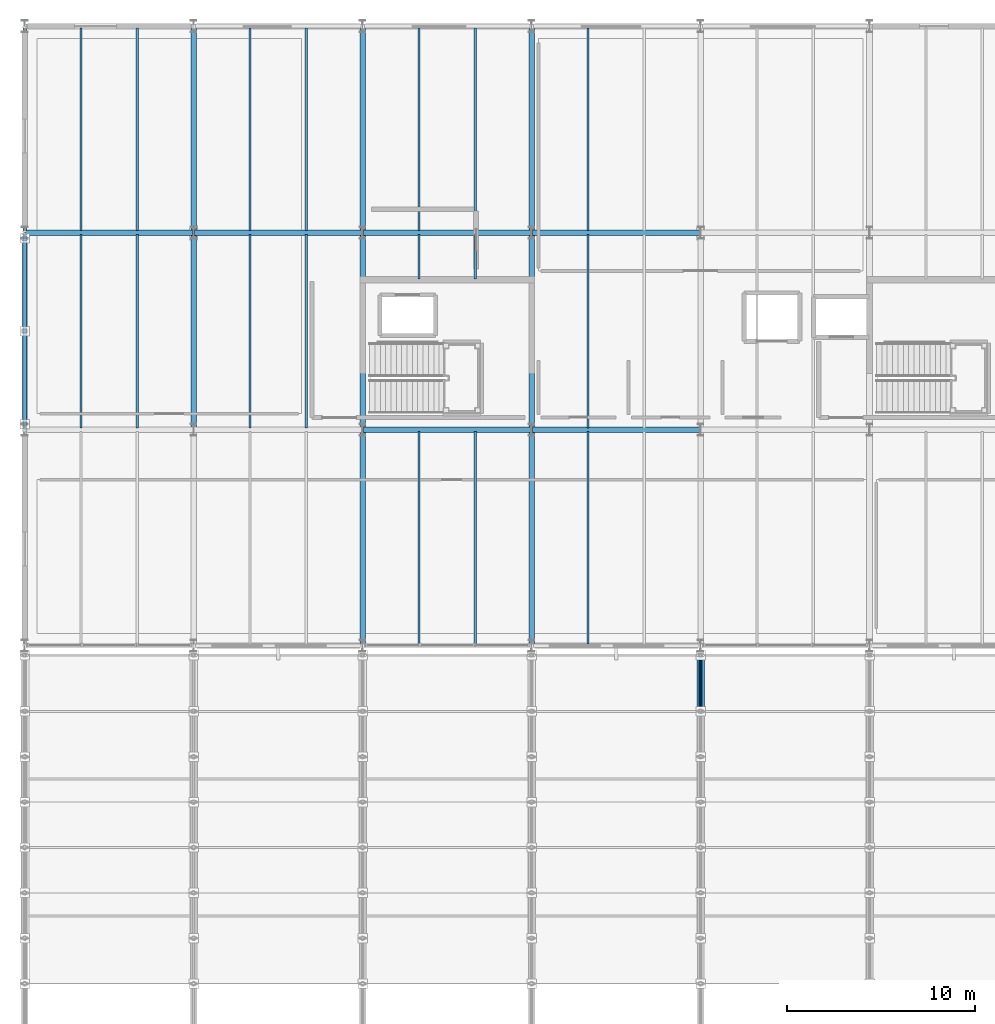
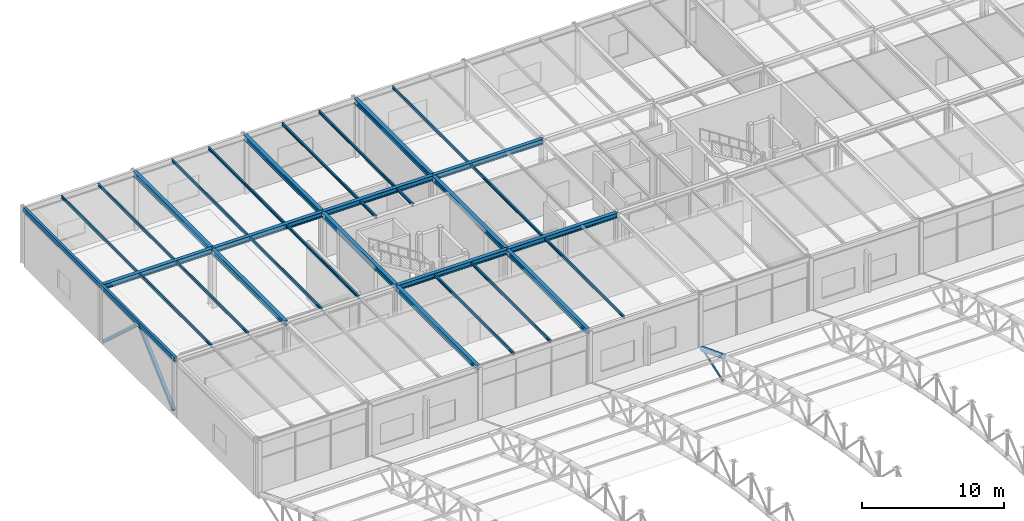
# One storey, part 42 of 195: 33 beams, 4 members.
"""IFC4 building model written with IfcOpenShell, lengths in metres."""

from ifc_helpers import new_model, si_unit, direction, frame, origin, origin_2d, place, context, subcontext, project, spatial, hollow_rectangle, hollow_circle, i_section, extrude, material, material_profile, profile_set, type_object, element, save


model = new_model("IFC4")

# Units and contexts
model_context = context("Model", 3, precision=1e-05, world=origin(), true_north=direction((0.0, 1.0)))
body_context = subcontext(model_context, "Body", "Model", "MODEL_VIEW")
ifc_project = project(units=[si_unit("LENGTHUNIT", "METRE"), si_unit("AREAUNIT", "SQUARE_METRE"), si_unit("VOLUMEUNIT", "CUBIC_METRE"), si_unit("PLANEANGLEUNIT", "RADIAN"), si_unit("MASSUNIT", "GRAM", prefix="KILO")], contexts=[model_context])

# Site, building, storey
site_placement = place(None, origin())
site = spatial("IfcSite", under=ifc_project, at=site_placement, CompositionType="ELEMENT")
building_placement = place(site_placement, origin())
building = spatial("IfcBuilding", under=site, at=building_placement, Name="Marlcrest Central Station", CompositionType="ELEMENT")
storey_placement = place(building_placement, frame((0.0, 0.0, 9.800048828125)))
storey = spatial("IfcBuildingStorey", under=building, at=storey_placement, Name="L02", CompositionType="ELEMENT", Elevation=9.800048828125)

# Members
ifc_material = material(Name="Steel S355", Category="steel")
ifc_material_profile_1 = material_profile(ifc_material, hollow_circle(Radius=0.203125, WallThickness=0.02001953125, at=origin_2d()), Name="CHS 406.4x20")
ifc_profile_set_1 = profile_set([ifc_material_profile_1], Name="Steel S355")
member_type_1 = type_object("IfcMemberType", Name="AC-01", PredefinedType="CHORD", material=ifc_profile_set_1)
member_1_placement = place(storey_placement, frame((36.0, 95.5, 1.599853515625), z_axis=(0.0, 0.933324071143, -0.359035065453), x_axis=(-1.0, 0.0, 0.0)))
element("IfcMember", 1, at=member_1_placement, inside=storey, type_object=member_type_1, Name="mem-AC-01-L02-00623", PredefinedType="CHORD", context=body_context, shape_type="SweptSolid", body=[
    extrude(hollow_circle(Radius=0.203125, WallThickness=0.02001953125, at=origin_2d()), origin(), (0.0, 0.0, 1.0), 3.21435546875),
])
ifc_material_profile_2 = material_profile(ifc_material, hollow_circle(Radius=0.084228515625, WallThickness=0.010009765625, at=origin_2d()), Name="CHS 168.3x10")
ifc_profile_set_2 = profile_set([ifc_material_profile_2], Name="Steel S355")
member_type_2 = type_object("IfcMemberType", Name="AD-01", PredefinedType="BRACE", material=ifc_profile_set_2)
member_2_placement = place(storey_placement, frame((36.0, 95.5, -0.60009765625), z_axis=(0.0, 0.944260188635, 0.329200085296), x_axis=(-1.0, 0.0, 0.0)))
element("IfcMember", 2, at=member_2_placement, inside=storey, type_object=member_type_2, Name="mem-AD-01-L02-00625", PredefinedType="BRACE", context=body_context, shape_type="SweptSolid", body=[
    extrude(hollow_circle(Radius=0.084228515625, WallThickness=0.010009765625, at=origin_2d()), origin(), (0.0, 0.0, 1.0), 3.177001953125),
])
ifc_material_profile_3 = material_profile(ifc_material, hollow_rectangle(XDim=0.25, YDim=0.25, WallThickness=0.012451171875, at=origin_2d()), Name="SHS 250x250x12.5")
ifc_profile_set_3 = profile_set([ifc_material_profile_3], Name="Steel S355")
member_type_3 = type_object("IfcMemberType", Name="BF-02", PredefinedType="BRACE", material=ifc_profile_set_3)
for number, where, z_axis, x_axis, name in (
    (3, (0.0, 110.800048828125, 0.25), (0.0, 0.739936770669, 0.672676426978), (-1.0, 0.0, 0.0), "mem-BF-02-L02-00005"),
    (4, (0.0, 120.699951171875, 0.25), (0.0, -0.739936770669, 0.672676426978), (1.0, 0.0, 0.0), "mem-BF-02-L02-00006"),
):
    element("IfcMember", number, at=place(storey_placement, frame(where, z_axis=z_axis, x_axis=x_axis)), inside=storey, type_object=member_type_3, Name=name, PredefinedType="BRACE", context=body_context, shape_type="SweptSolid", body=[
        extrude(hollow_rectangle(XDim=0.25, YDim=0.25, WallThickness=0.012451171875, at=origin_2d()), origin(), (0.0, 0.0, 1.0), 6.689697265625),
    ])

# Beams
ifc_material_profile_4 = material_profile(ifc_material, i_section(OverallWidth=0.300048828125, OverallDepth=0.43994140625, WebThickness=0.011474609375, FlangeThickness=0.02099609375, FilletRadius=0.027099609375, at=origin_2d()), Name="HEA 450")
ifc_profile_set_4 = profile_set([ifc_material_profile_4], Name="Steel S355")
beam_type_1 = type_object("IfcBeamType", Name="BM-09", PredefinedType="BEAM", material=ifc_profile_set_4)
for number, where, z_axis, x_axis, name in (
    (5, (18.050048828125, 110.5, 4.780029296875), (1.0, 0.0, 0.0), (0.0, 1.0, 0.0), "bm-BM-09-L02-00359"),
    (6, (27.050048828125, 110.5, 4.780029296875), (1.0, 0.0, 0.0), (0.0, 1.0, 0.0), "bm-BM-09-L02-00360"),
    (7, (0.050048828125, 121.0, 4.780029296875), (1.0, 0.0, 0.0), (0.0, 1.0, 0.0), "bm-BM-09-L02-00366"),
    (8, (9.050048828125, 121.0, 4.780029296875), (1.0, 0.0, 0.0), (0.0, 1.0, 0.0), "bm-BM-09-L02-00367"),
    (9, (18.050048828125, 121.0, 4.780029296875), (1.0, 0.0, 0.0), (0.0, 1.0, 0.0), "bm-BM-09-L02-00368"),
    (10, (27.050048828125, 121.0, 4.780029296875), (1.0, 0.0, 0.0), (0.0, 1.0, 0.0), "bm-BM-09-L02-00369"),
):
    element("IfcBeam", number, at=place(storey_placement, frame(where, z_axis=z_axis, x_axis=x_axis)), inside=storey, type_object=beam_type_1, Name=name, PredefinedType="BEAM", context=body_context, shape_type="SweptSolid", body=[
        extrude(i_section(OverallWidth=0.300048828125, OverallDepth=0.43994140625, WebThickness=0.011474609375, FlangeThickness=0.02099609375, FilletRadius=0.027099609375, at=origin_2d()), origin(), (0.0, 0.0, 1.0), 8.89990234375),
    ])
beam_1_placement = place(storey_placement, frame((9.0, 110.550048828125, 4.780029296875), z_axis=(0.0, 1.0, 0.0), x_axis=(-1.0, 0.0, 0.0)))
element("IfcBeam", 11, at=beam_1_placement, inside=storey, type_object=beam_type_1, Name="bm-BM-09-L02-00388", PredefinedType="BEAM", context=body_context, shape_type="SweptSolid", body=[
    extrude(i_section(OverallWidth=0.300048828125, OverallDepth=0.43994140625, WebThickness=0.011474609375, FlangeThickness=0.02099609375, FilletRadius=0.027099609375, at=origin_2d()), origin(), (0.0, 0.0, 1.0), 10.39990234375),
])
beam_2_placement = place(storey_placement, frame((9.0, 121.050048828125, 4.780029296875), z_axis=(0.0, 1.0, 0.0), x_axis=(-1.0, 0.0, 0.0)))
element("IfcBeam", 12, at=beam_2_placement, inside=storey, type_object=beam_type_1, Name="bm-BM-09-L02-00389", PredefinedType="BEAM", context=body_context, shape_type="SweptSolid", body=[
    extrude(i_section(OverallWidth=0.300048828125, OverallDepth=0.43994140625, WebThickness=0.011474609375, FlangeThickness=0.02099609375, FilletRadius=0.027099609375, at=origin_2d()), origin(), (0.0, 0.0, 1.0), 10.89990234375),
])
beam_3_placement = place(storey_placement, frame((18.0, 99.050048828125, 4.780029296875), z_axis=(0.0, 1.0, 0.0), x_axis=(-1.0, 0.0, 0.0)))
element("IfcBeam", 13, at=beam_3_placement, inside=storey, type_object=beam_type_1, Name="bm-BM-09-L02-00390", PredefinedType="BEAM", context=body_context, shape_type="SweptSolid", body=[
    extrude(i_section(OverallWidth=0.300048828125, OverallDepth=0.43994140625, WebThickness=0.011474609375, FlangeThickness=0.02099609375, FilletRadius=0.027099609375, at=origin_2d()), origin(), (0.0, 0.0, 1.0), 11.39990234375),
])
beam_4_placement = place(storey_placement, frame((18.0, 110.550048828125, 4.780029296875), z_axis=(0.0, 1.0, 0.0), x_axis=(-1.0, 0.0, 0.0)))
element("IfcBeam", 14, at=beam_4_placement, inside=storey, type_object=beam_type_1, Name="bm-BM-09-L02-00391", PredefinedType="BEAM", context=body_context, shape_type="SweptSolid", body=[
    extrude(i_section(OverallWidth=0.300048828125, OverallDepth=0.43994140625, WebThickness=0.011474609375, FlangeThickness=0.02099609375, FilletRadius=0.027099609375, at=origin_2d()), origin(), (0.0, 0.0, 1.0), 10.39990234375),
])
beam_5_placement = place(storey_placement, frame((18.0, 121.050048828125, 4.780029296875), z_axis=(0.0, 1.0, 0.0), x_axis=(-1.0, 0.0, 0.0)))
element("IfcBeam", 15, at=beam_5_placement, inside=storey, type_object=beam_type_1, Name="bm-BM-09-L02-00392", PredefinedType="BEAM", context=body_context, shape_type="SweptSolid", body=[
    extrude(i_section(OverallWidth=0.300048828125, OverallDepth=0.43994140625, WebThickness=0.011474609375, FlangeThickness=0.02099609375, FilletRadius=0.027099609375, at=origin_2d()), origin(), (0.0, 0.0, 1.0), 10.89990234375),
])
beam_6_placement = place(storey_placement, frame((27.0, 99.050048828125, 4.780029296875), z_axis=(0.0, 1.0, 0.0), x_axis=(-1.0, 0.0, 0.0)))
element("IfcBeam", 16, at=beam_6_placement, inside=storey, type_object=beam_type_1, Name="bm-BM-09-L02-00393", PredefinedType="BEAM", context=body_context, shape_type="SweptSolid", body=[
    extrude(i_section(OverallWidth=0.300048828125, OverallDepth=0.43994140625, WebThickness=0.011474609375, FlangeThickness=0.02099609375, FilletRadius=0.027099609375, at=origin_2d()), origin(), (0.0, 0.0, 1.0), 11.39990234375),
])
beam_7_placement = place(storey_placement, frame((27.0, 110.550048828125, 4.780029296875), z_axis=(0.0, 1.0, 0.0), x_axis=(-1.0, 0.0, 0.0)))
element("IfcBeam", 17, at=beam_7_placement, inside=storey, type_object=beam_type_1, Name="bm-BM-09-L02-00394", PredefinedType="BEAM", context=body_context, shape_type="SweptSolid", body=[
    extrude(i_section(OverallWidth=0.300048828125, OverallDepth=0.43994140625, WebThickness=0.011474609375, FlangeThickness=0.02099609375, FilletRadius=0.027099609375, at=origin_2d()), origin(), (0.0, 0.0, 1.0), 10.39990234375),
])
beam_8_placement = place(storey_placement, frame((27.0, 121.050048828125, 4.780029296875), z_axis=(0.0, 1.0, 0.0), x_axis=(-1.0, 0.0, 0.0)))
element("IfcBeam", 18, at=beam_8_placement, inside=storey, type_object=beam_type_1, Name="bm-BM-09-L02-00395", PredefinedType="BEAM", context=body_context, shape_type="SweptSolid", body=[
    extrude(i_section(OverallWidth=0.300048828125, OverallDepth=0.43994140625, WebThickness=0.011474609375, FlangeThickness=0.02099609375, FilletRadius=0.027099609375, at=origin_2d()), origin(), (0.0, 0.0, 1.0), 10.89990234375),
])
ifc_material_profile_5 = material_profile(ifc_material, i_section(OverallWidth=0.1201171875, OverallDepth=0.239990234375, WebThickness=0.006103515625, FlangeThickness=0.009765625, FilletRadius=0.014892578125, at=origin_2d()), Name="IPE 240")
ifc_profile_set_5 = profile_set([ifc_material_profile_5], Name="Steel S355")
beam_type_2 = type_object("IfcBeamType", Name="JS-03", PredefinedType="JOIST", material=ifc_profile_set_5)
beam_9_placement = place(storey_placement, frame((3.0, 110.60009765625, 4.8798828125), z_axis=(0.0, 1.0, 0.0), x_axis=(-1.0, 0.0, 0.0)))
element("IfcBeam", 19, at=beam_9_placement, inside=storey, type_object=beam_type_2, Name="bm-JS-03-L02-00415", PredefinedType="JOIST", context=body_context, shape_type="SweptSolid", body=[
    extrude(i_section(OverallWidth=0.1201171875, OverallDepth=0.239990234375, WebThickness=0.006103515625, FlangeThickness=0.009765625, FilletRadius=0.014892578125, at=origin_2d()), origin(), (0.0, 0.0, 1.0), 10.2998046875),
])
beam_10_placement = place(storey_placement, frame((3.0, 121.10009765625, 4.8798828125), z_axis=(0.0, 1.0, 0.0), x_axis=(-1.0, 0.0, 0.0)))
element("IfcBeam", 20, at=beam_10_placement, inside=storey, type_object=beam_type_2, Name="bm-JS-03-L02-00416", PredefinedType="JOIST", context=body_context, shape_type="SweptSolid", body=[
    extrude(i_section(OverallWidth=0.1201171875, OverallDepth=0.239990234375, WebThickness=0.006103515625, FlangeThickness=0.009765625, FilletRadius=0.014892578125, at=origin_2d()), origin(), (0.0, 0.0, 1.0), 10.804931640625),
])
beam_11_placement = place(storey_placement, frame((6.0, 110.60009765625, 4.8798828125), z_axis=(0.0, 1.0, 0.0), x_axis=(-1.0, 0.0, 0.0)))
element("IfcBeam", 21, at=beam_11_placement, inside=storey, type_object=beam_type_2, Name="bm-JS-03-L02-00418", PredefinedType="JOIST", context=body_context, shape_type="SweptSolid", body=[
    extrude(i_section(OverallWidth=0.1201171875, OverallDepth=0.239990234375, WebThickness=0.006103515625, FlangeThickness=0.009765625, FilletRadius=0.014892578125, at=origin_2d()), origin(), (0.0, 0.0, 1.0), 10.2998046875),
])
beam_12_placement = place(storey_placement, frame((6.0, 121.10009765625, 4.8798828125), z_axis=(0.0, 1.0, 0.0), x_axis=(-1.0, 0.0, 0.0)))
element("IfcBeam", 22, at=beam_12_placement, inside=storey, type_object=beam_type_2, Name="bm-JS-03-L02-00419", PredefinedType="JOIST", context=body_context, shape_type="SweptSolid", body=[
    extrude(i_section(OverallWidth=0.1201171875, OverallDepth=0.239990234375, WebThickness=0.006103515625, FlangeThickness=0.009765625, FilletRadius=0.014892578125, at=origin_2d()), origin(), (0.0, 0.0, 1.0), 10.804931640625),
])
beam_13_placement = place(storey_placement, frame((12.0, 110.60009765625, 4.8798828125), z_axis=(0.0, 1.0, 0.0), x_axis=(-1.0, 0.0, 0.0)))
element("IfcBeam", 23, at=beam_13_placement, inside=storey, type_object=beam_type_2, Name="bm-JS-03-L02-00421", PredefinedType="JOIST", context=body_context, shape_type="SweptSolid", body=[
    extrude(i_section(OverallWidth=0.1201171875, OverallDepth=0.239990234375, WebThickness=0.006103515625, FlangeThickness=0.009765625, FilletRadius=0.014892578125, at=origin_2d()), origin(), (0.0, 0.0, 1.0), 10.2998046875),
])
beam_14_placement = place(storey_placement, frame((12.0, 121.10009765625, 4.8798828125), z_axis=(0.0, 1.0, 0.0), x_axis=(-1.0, 0.0, 0.0)))
element("IfcBeam", 24, at=beam_14_placement, inside=storey, type_object=beam_type_2, Name="bm-JS-03-L02-00422", PredefinedType="JOIST", context=body_context, shape_type="SweptSolid", body=[
    extrude(i_section(OverallWidth=0.1201171875, OverallDepth=0.239990234375, WebThickness=0.006103515625, FlangeThickness=0.009765625, FilletRadius=0.014892578125, at=origin_2d()), origin(), (0.0, 0.0, 1.0), 10.804931640625),
])
beam_15_placement = place(storey_placement, frame((15.0, 110.60009765625, 4.8798828125), z_axis=(0.0, 1.0, 0.0), x_axis=(-1.0, 0.0, 0.0)))
element("IfcBeam", 25, at=beam_15_placement, inside=storey, type_object=beam_type_2, Name="bm-JS-03-L02-00424", PredefinedType="JOIST", context=body_context, shape_type="SweptSolid", body=[
    extrude(i_section(OverallWidth=0.1201171875, OverallDepth=0.239990234375, WebThickness=0.006103515625, FlangeThickness=0.009765625, FilletRadius=0.014892578125, at=origin_2d()), origin(), (0.0, 0.0, 1.0), 10.2998046875),
])
beam_16_placement = place(storey_placement, frame((15.0, 121.10009765625, 4.8798828125), z_axis=(0.0, 1.0, 0.0), x_axis=(-1.0, 0.0, 0.0)))
element("IfcBeam", 26, at=beam_16_placement, inside=storey, type_object=beam_type_2, Name="bm-JS-03-L02-00425", PredefinedType="JOIST", context=body_context, shape_type="SweptSolid", body=[
    extrude(i_section(OverallWidth=0.1201171875, OverallDepth=0.239990234375, WebThickness=0.006103515625, FlangeThickness=0.009765625, FilletRadius=0.014892578125, at=origin_2d()), origin(), (0.0, 0.0, 1.0), 10.804931640625),
])
beam_17_placement = place(storey_placement, frame((21.0, 99.094970703125, 4.8798828125), z_axis=(0.0, 1.0, 0.0), x_axis=(-1.0, 0.0, 0.0)))
element("IfcBeam", 27, at=beam_17_placement, inside=storey, type_object=beam_type_2, Name="bm-JS-03-L02-00426", PredefinedType="JOIST", context=body_context, shape_type="SweptSolid", body=[
    extrude(i_section(OverallWidth=0.1201171875, OverallDepth=0.239990234375, WebThickness=0.006103515625, FlangeThickness=0.009765625, FilletRadius=0.014892578125, at=origin_2d()), origin(), (0.0, 0.0, 1.0), 11.304931640625),
])
beam_18_placement = place(storey_placement, frame((21.0, 118.52001953125, 4.8798828125), z_axis=(0.0, 1.0, 0.0), x_axis=(-1.0, 0.0, 0.0)))
element("IfcBeam", 28, at=beam_18_placement, inside=storey, type_object=beam_type_2, Name="bm-JS-03-L02-00427", PredefinedType="JOIST", context=body_context, shape_type="SweptSolid", body=[
    extrude(i_section(OverallWidth=0.1201171875, OverallDepth=0.239990234375, WebThickness=0.006103515625, FlangeThickness=0.009765625, FilletRadius=0.014892578125, at=origin_2d()), origin(), (0.0, 0.0, 1.0), 2.3798828125),
])
beam_19_placement = place(storey_placement, frame((21.0, 121.10009765625, 4.8798828125), z_axis=(0.0, 1.0, 0.0), x_axis=(-1.0, 0.0, 0.0)))
element("IfcBeam", 29, at=beam_19_placement, inside=storey, type_object=beam_type_2, Name="bm-JS-03-L02-00428", PredefinedType="JOIST", context=body_context, shape_type="SweptSolid", body=[
    extrude(i_section(OverallWidth=0.1201171875, OverallDepth=0.239990234375, WebThickness=0.006103515625, FlangeThickness=0.009765625, FilletRadius=0.014892578125, at=origin_2d()), origin(), (0.0, 0.0, 1.0), 10.804931640625),
])
beam_20_placement = place(storey_placement, frame((24.0, 99.094970703125, 4.8798828125), z_axis=(0.0, 1.0, 0.0), x_axis=(-1.0, 0.0, 0.0)))
element("IfcBeam", 30, at=beam_20_placement, inside=storey, type_object=beam_type_2, Name="bm-JS-03-L02-00429", PredefinedType="JOIST", context=body_context, shape_type="SweptSolid", body=[
    extrude(i_section(OverallWidth=0.1201171875, OverallDepth=0.239990234375, WebThickness=0.006103515625, FlangeThickness=0.009765625, FilletRadius=0.014892578125, at=origin_2d()), origin(), (0.0, 0.0, 1.0), 11.304931640625),
])
beam_21_placement = place(storey_placement, frame((24.0, 118.52001953125, 4.8798828125), z_axis=(0.0, 1.0, 0.0), x_axis=(-1.0, 0.0, 0.0)))
element("IfcBeam", 31, at=beam_21_placement, inside=storey, type_object=beam_type_2, Name="bm-JS-03-L02-00430", PredefinedType="JOIST", context=body_context, shape_type="SweptSolid", body=[
    extrude(i_section(OverallWidth=0.1201171875, OverallDepth=0.239990234375, WebThickness=0.006103515625, FlangeThickness=0.009765625, FilletRadius=0.014892578125, at=origin_2d()), origin(), (0.0, 0.0, 1.0), 2.3798828125),
])
beam_22_placement = place(storey_placement, frame((24.0, 121.10009765625, 4.8798828125), z_axis=(0.0, 1.0, 0.0), x_axis=(-1.0, 0.0, 0.0)))
element("IfcBeam", 32, at=beam_22_placement, inside=storey, type_object=beam_type_2, Name="bm-JS-03-L02-00431", PredefinedType="JOIST", context=body_context, shape_type="SweptSolid", body=[
    extrude(i_section(OverallWidth=0.1201171875, OverallDepth=0.239990234375, WebThickness=0.006103515625, FlangeThickness=0.009765625, FilletRadius=0.014892578125, at=origin_2d()), origin(), (0.0, 0.0, 1.0), 10.804931640625),
])
beam_23_placement = place(storey_placement, frame((30.0, 99.094970703125, 4.8798828125), z_axis=(0.0, 1.0, 0.0), x_axis=(-1.0, 0.0, 0.0)))
element("IfcBeam", 33, at=beam_23_placement, inside=storey, type_object=beam_type_2, Name="bm-JS-03-L02-00432", PredefinedType="JOIST", context=body_context, shape_type="SweptSolid", body=[
    extrude(i_section(OverallWidth=0.1201171875, OverallDepth=0.239990234375, WebThickness=0.006103515625, FlangeThickness=0.009765625, FilletRadius=0.014892578125, at=origin_2d()), origin(), (0.0, 0.0, 1.0), 11.304931640625),
])
beam_24_placement = place(storey_placement, frame((30.0, 110.60009765625, 4.8798828125), z_axis=(0.0, 1.0, 0.0), x_axis=(-1.0, 0.0, 0.0)))
element("IfcBeam", 34, at=beam_24_placement, inside=storey, type_object=beam_type_2, Name="bm-JS-03-L02-00433", PredefinedType="JOIST", context=body_context, shape_type="SweptSolid", body=[
    extrude(i_section(OverallWidth=0.1201171875, OverallDepth=0.239990234375, WebThickness=0.006103515625, FlangeThickness=0.009765625, FilletRadius=0.014892578125, at=origin_2d()), origin(), (0.0, 0.0, 1.0), 10.2998046875),
])
beam_25_placement = place(storey_placement, frame((30.0, 121.10009765625, 4.8798828125), z_axis=(0.0, 1.0, 0.0), x_axis=(-1.0, 0.0, 0.0)))
element("IfcBeam", 35, at=beam_25_placement, inside=storey, type_object=beam_type_2, Name="bm-JS-03-L02-00434", PredefinedType="JOIST", context=body_context, shape_type="SweptSolid", body=[
    extrude(i_section(OverallWidth=0.1201171875, OverallDepth=0.239990234375, WebThickness=0.006103515625, FlangeThickness=0.009765625, FilletRadius=0.014892578125, at=origin_2d()), origin(), (0.0, 0.0, 1.0), 10.804931640625),
])
ifc_material_profile_6 = material_profile(ifc_material, hollow_rectangle(XDim=0.199951171875, YDim=0.39990234375, WallThickness=0.01611328125, at=origin_2d()), Name="RHS 400x200x16")
ifc_profile_set_6 = profile_set([ifc_material_profile_6], Name="Steel S355")
beam_type_3 = type_object("IfcBeamType", Name="SP-01", PredefinedType="SPANDREL", material=ifc_profile_set_6)
beam_26_placement = place(storey_placement, frame((0.0, 110.550048828125, 4.800048828125), z_axis=(0.0, 1.0, 0.0), x_axis=(-1.0, 0.0, 0.0)))
element("IfcBeam", 36, at=beam_26_placement, inside=storey, type_object=beam_type_3, Name="bm-SP-01-L02-00385", PredefinedType="SPANDREL", context=body_context, shape_type="SweptSolid", body=[
    extrude(hollow_rectangle(XDim=0.199951171875, YDim=0.39990234375, WallThickness=0.01611328125, at=origin_2d()), origin(), (0.0, 0.0, 1.0), 10.39990234375),
])
beam_27_placement = place(storey_placement, frame((0.0, 121.050048828125, 4.800048828125), z_axis=(0.0, 1.0, 0.0), x_axis=(-1.0, 0.0, 0.0)))
element("IfcBeam", 37, at=beam_27_placement, inside=storey, type_object=beam_type_3, Name="bm-SP-01-L02-00386", PredefinedType="SPANDREL", context=body_context, shape_type="SweptSolid", body=[
    extrude(hollow_rectangle(XDim=0.199951171875, YDim=0.39990234375, WallThickness=0.01611328125, at=origin_2d()), origin(), (0.0, 0.0, 1.0), 10.89990234375),
])

save(model, "model.ifc")
